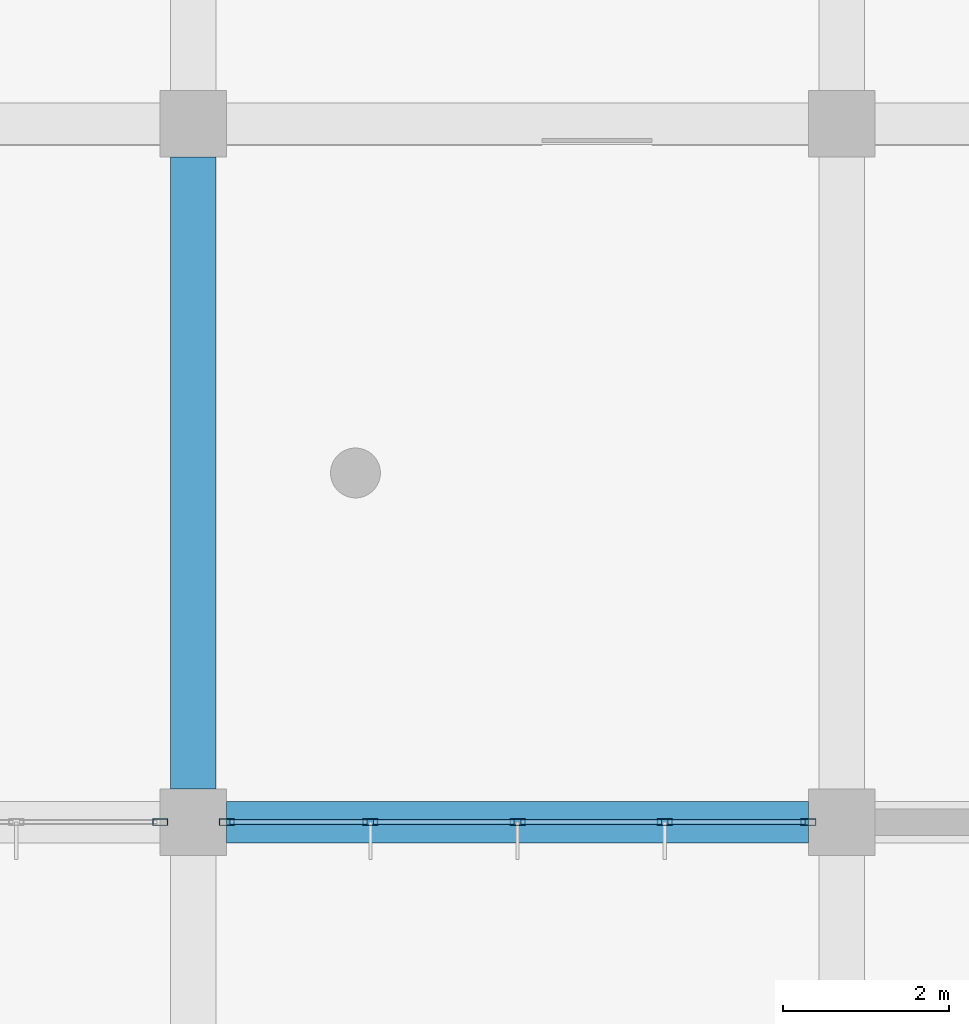
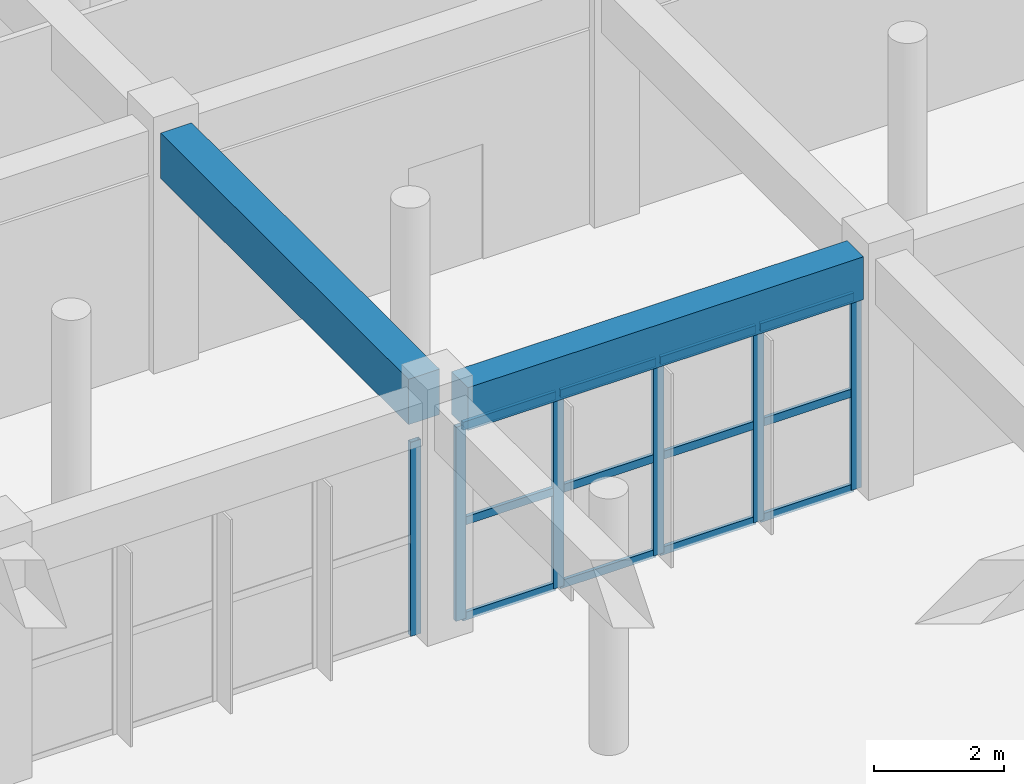
# One storey, part 21 of 139: 18 members, 2 beams, 2 elements without a shape of their own.
"""IFC4 building model written with IfcOpenShell, lengths in metres."""

from ifc_helpers import new_model, si_unit, direction, frame, origin, origin_2d, place, context, subcontext, project, spatial, rectangle, hollow_rectangle, extrude, material, layer, layer_set, material_profile, profile_set, type_object, element, aggregate, save


model = new_model("IFC4")

# Units and contexts
model_context = context("Model", 3, precision=1e-05, world=origin(), true_north=direction((0.0, 1.0)))
body_context = subcontext(model_context, "Body", "Model", "MODEL_VIEW")
ifc_project = project(units=[si_unit("LENGTHUNIT", "METRE"), si_unit("AREAUNIT", "SQUARE_METRE"), si_unit("VOLUMEUNIT", "CUBIC_METRE"), si_unit("PLANEANGLEUNIT", "RADIAN"), si_unit("MASSUNIT", "GRAM", prefix="KILO")], contexts=[model_context])

# Site, building, storey
site_placement = place(None, origin())
site = spatial("IfcSite", under=ifc_project, at=site_placement, CompositionType="ELEMENT")
building_placement = place(site_placement, origin())
building = spatial("IfcBuilding", under=site, at=building_placement, Name="Zizhar Promenade General Hospital", CompositionType="ELEMENT")
storey_placement = place(building_placement, origin())
storey = spatial("IfcBuildingStorey", under=building, at=storey_placement, Name="L00", CompositionType="ELEMENT", Elevation=0.0)

# Beams
ifc_material_1 = material(Name="Concrete C35/45", Category="concrete")
ifc_material_profile_1 = material_profile(ifc_material_1, rectangle(XDim=0.5, YDim=0.800048828125, at=origin_2d()))
ifc_profile_set_1 = profile_set([ifc_material_profile_1], Name="Concrete C35/45")
beam_type_1 = type_object("IfcBeamType", Name="BM-RC-500x800", PredefinedType="BEAM", material=ifc_profile_set_1)
beam_1_placement = place(storey_placement, frame((109.60009765625, 8.39990234375, 4.070068359375), z_axis=(1.0, 0.0, 0.0), x_axis=(0.0, 1.0, 0.0)))
element("IfcBeam", 1, at=beam_1_placement, inside=storey, type_object=beam_type_1, Name="Grid Beam X L00 (14-1)", PredefinedType="BEAM", context=body_context, shape_type="SweptSolid", body=[
    extrude(rectangle(XDim=0.5, YDim=0.800048828125, at=origin_2d()), origin(), (0.0, 0.0, 1.0), 7.0),
])
ifc_material_2 = material(Name="Concrete C35/45", Category="concrete")
ifc_material_profile_2 = material_profile(ifc_material_2, rectangle(XDim=0.550048828125, YDim=0.85009765625, at=origin_2d()))
ifc_profile_set_2 = profile_set([ifc_material_profile_2], Name="Concrete C35/45")
beam_type_2 = type_object("IfcBeamType", Name="BM-RC-550x850", PredefinedType="BEAM", material=ifc_profile_set_2)
beam_2_placement = place(storey_placement, frame((109.199951171875, 8.800048828125, 4.044921875), z_axis=(0.0, 1.0, 0.0), x_axis=(-1.0, 0.0, 0.0)))
element("IfcBeam", 2, at=beam_2_placement, inside=storey, type_object=beam_type_2, Name="Grid Beam Y L00 (14-1)", PredefinedType="BEAM", context=body_context, shape_type="SweptSolid", body=[
    extrude(rectangle(XDim=0.550048828125, YDim=0.85009765625, at=origin_2d()), origin(), (0.0, 0.0, 1.0), 7.599853515625),
])

# Curtain wall, member
ifc_material_3 = material(Name="Anodised aluminium 6063-T6 and low-E glass", Category="aluminium")
ifc_layer = layer(ifc_material_3, 0.159912109375)
ifc_layer_set = layer_set([ifc_layer], Name="Anodised aluminium 6063-T6 and low-E glass")
curtain_wall_type = type_object("IfcCurtainWallType", Name="CW-HALL-S", PredefinedType="NOTDEFINED", material=ifc_layer_set)
curtain_wall_1_placement = place(storey_placement, origin())
curtain_wall_1 = element("IfcCurtainWall", 3, at=curtain_wall_1_placement, inside=storey, type_object=curtain_wall_type, Name="Promenade Colonnade Curtain Wall Bay 12", PredefinedType="NOTDEFINED")
ifc_material_4 = material(Name="Anodised aluminium 6063-T6", Category="aluminium")
ifc_material_profile_3 = material_profile(ifc_material_4, hollow_rectangle(XDim=0.080078125, YDim=0.179931640625, WallThickness=0.0048828125, at=origin_2d()))
ifc_profile_set_3 = profile_set([ifc_material_profile_3], Name="Anodised aluminium 6063-T6")
member_type_1 = type_object("IfcMemberType", Name="CWM-ALU-180x80", PredefinedType="MULLION", material=ifc_profile_set_3)
member_1_placement = place(storey_placement, frame((108.800048828125, 8.39990234375, 0.0), z_axis=(0.0, 0.0, 1.0), x_axis=(0.0, -1.0, 0.0)))
member_1 = element("IfcMember", 4, at=member_1_placement, type_object=member_type_1, Name="CW-01 mullion 1", PredefinedType="MULLION", context=body_context, shape_type="SweptSolid", body=[
    extrude(hollow_rectangle(XDim=0.080078125, YDim=0.179931640625, WallThickness=0.0048828125, at=origin_2d()), origin(), (0.0, 0.0, 1.0), 3.6298828125),
])
aggregate(curtain_wall_1, [member_1])

# Curtain wall, members
curtain_wall_2_placement = place(storey_placement, origin())
curtain_wall_2 = element("IfcCurtainWall", 5, at=curtain_wall_2_placement, inside=storey, type_object=curtain_wall_type, Name="Promenade Colonnade Curtain Wall Bay 13", PredefinedType="NOTDEFINED")
member_2_placement = place(storey_placement, frame((116.60009765625, 8.39990234375, 0.0), z_axis=(0.0, 0.0, 1.0), x_axis=(0.0, -1.0, 0.0)))
member_2 = element("IfcMember", 6, at=member_2_placement, type_object=member_type_1, Name="CW-01 mullion 1", PredefinedType="MULLION", context=body_context, shape_type="SweptSolid", body=[
    extrude(hollow_rectangle(XDim=0.080078125, YDim=0.179931640625, WallThickness=0.0048828125, at=origin_2d()), origin(), (0.0, 0.0, 1.0), 3.6298828125),
])
member_3_placement = place(storey_placement, frame((114.8701171875, 8.39990234375, 0.0), z_axis=(0.0, 0.0, 1.0), x_axis=(0.0, -1.0, 0.0)))
member_3 = element("IfcMember", 7, at=member_3_placement, type_object=member_type_1, Name="CW-01 mullion 2", PredefinedType="MULLION", context=body_context, shape_type="SweptSolid", body=[
    extrude(hollow_rectangle(XDim=0.080078125, YDim=0.179931640625, WallThickness=0.0048828125, at=origin_2d()), origin(), (0.0, 0.0, 1.0), 3.6298828125),
])
member_4_placement = place(storey_placement, frame((113.10009765625, 8.39990234375, 0.0), z_axis=(0.0, 0.0, 1.0), x_axis=(0.0, -1.0, 0.0)))
member_4 = element("IfcMember", 8, at=member_4_placement, type_object=member_type_1, Name="CW-01 mullion 3", PredefinedType="MULLION", context=body_context, shape_type="SweptSolid", body=[
    extrude(hollow_rectangle(XDim=0.080078125, YDim=0.179931640625, WallThickness=0.0048828125, at=origin_2d()), origin(), (0.0, 0.0, 1.0), 3.6298828125),
])
member_5_placement = place(storey_placement, frame((111.330078125, 8.39990234375, 0.0), z_axis=(0.0, 0.0, 1.0), x_axis=(0.0, -1.0, 0.0)))
member_5 = element("IfcMember", 9, at=member_5_placement, type_object=member_type_1, Name="CW-01 mullion 4", PredefinedType="MULLION", context=body_context, shape_type="SweptSolid", body=[
    extrude(hollow_rectangle(XDim=0.080078125, YDim=0.179931640625, WallThickness=0.0048828125, at=origin_2d()), origin(), (0.0, 0.0, 1.0), 3.6298828125),
])
member_6_placement = place(storey_placement, frame((109.60009765625, 8.39990234375, 0.0), z_axis=(0.0, 0.0, 1.0), x_axis=(0.0, -1.0, 0.0)))
member_6 = element("IfcMember", 10, at=member_6_placement, type_object=member_type_1, Name="CW-01 mullion 5", PredefinedType="MULLION", context=body_context, shape_type="SweptSolid", body=[
    extrude(hollow_rectangle(XDim=0.080078125, YDim=0.179931640625, WallThickness=0.0048828125, at=origin_2d()), origin(), (0.0, 0.0, 1.0), 3.6298828125),
])
ifc_material_5 = material(Name="Anodised aluminium 6063-T6", Category="aluminium")
ifc_material_profile_4 = material_profile(ifc_material_5, hollow_rectangle(XDim=0.06005859375, YDim=0.14990234375, WallThickness=0.00390625, at=origin_2d()))
ifc_profile_set_4 = profile_set([ifc_material_profile_4], Name="Anodised aluminium 6063-T6")
member_type_2 = type_object("IfcMemberType", Name="CWT-ALU-150x60", PredefinedType="USERDEFINED", material=ifc_profile_set_4)
member_7_placement = place(storey_placement, frame((116.56005859375, 8.39990234375, 0.030029296875), z_axis=(-1.0, 0.0, 0.0), x_axis=(0.0, -1.0, 0.0)))
member_7 = element("IfcMember", 11, at=member_7_placement, type_object=member_type_2, Name="CW-01 transom 1.1", ObjectType="TRANSOM", PredefinedType="USERDEFINED", context=body_context, shape_type="SweptSolid", body=[
    extrude(hollow_rectangle(XDim=0.06005859375, YDim=0.14990234375, WallThickness=0.00390625, at=origin_2d()), origin(), (0.0, 0.0, 1.0), 1.650146484375),
])
member_8_placement = place(storey_placement, frame((116.56005859375, 8.39990234375, 1.81494140625), z_axis=(-1.0, 0.0, 0.0), x_axis=(0.0, -1.0, 0.0)))
member_8 = element("IfcMember", 12, at=member_8_placement, type_object=member_type_2, Name="CW-01 transom 1.2", ObjectType="TRANSOM", PredefinedType="USERDEFINED", context=body_context, shape_type="SweptSolid", body=[
    extrude(hollow_rectangle(XDim=0.06005859375, YDim=0.14990234375, WallThickness=0.00390625, at=origin_2d()), origin(), (0.0, 0.0, 1.0), 1.650146484375),
])
member_9_placement = place(storey_placement, frame((116.56005859375, 8.39990234375, 3.60009765625), z_axis=(-1.0, 0.0, 0.0), x_axis=(0.0, -1.0, 0.0)))
member_9 = element("IfcMember", 13, at=member_9_placement, type_object=member_type_2, Name="CW-01 transom 1.3", ObjectType="TRANSOM", PredefinedType="USERDEFINED", context=body_context, shape_type="SweptSolid", body=[
    extrude(hollow_rectangle(XDim=0.06005859375, YDim=0.14990234375, WallThickness=0.00390625, at=origin_2d()), origin(), (0.0, 0.0, 1.0), 1.650146484375),
])
member_10_placement = place(storey_placement, frame((114.830078125, 8.39990234375, 0.030029296875), z_axis=(-1.0, 0.0, 0.0), x_axis=(0.0, -1.0, 0.0)))
member_10 = element("IfcMember", 14, at=member_10_placement, type_object=member_type_2, Name="CW-01 transom 2.1", ObjectType="TRANSOM", PredefinedType="USERDEFINED", context=body_context, shape_type="SweptSolid", body=[
    extrude(hollow_rectangle(XDim=0.06005859375, YDim=0.14990234375, WallThickness=0.00390625, at=origin_2d()), origin(), (0.0, 0.0, 1.0), 1.690185546875),
])
member_11_placement = place(storey_placement, frame((114.830078125, 8.39990234375, 1.81494140625), z_axis=(-1.0, 0.0, 0.0), x_axis=(0.0, -1.0, 0.0)))
member_11 = element("IfcMember", 15, at=member_11_placement, type_object=member_type_2, Name="CW-01 transom 2.2", ObjectType="TRANSOM", PredefinedType="USERDEFINED", context=body_context, shape_type="SweptSolid", body=[
    extrude(hollow_rectangle(XDim=0.06005859375, YDim=0.14990234375, WallThickness=0.00390625, at=origin_2d()), origin(), (0.0, 0.0, 1.0), 1.690185546875),
])
member_12_placement = place(storey_placement, frame((114.830078125, 8.39990234375, 3.60009765625), z_axis=(-1.0, 0.0, 0.0), x_axis=(0.0, -1.0, 0.0)))
member_12 = element("IfcMember", 16, at=member_12_placement, type_object=member_type_2, Name="CW-01 transom 2.3", ObjectType="TRANSOM", PredefinedType="USERDEFINED", context=body_context, shape_type="SweptSolid", body=[
    extrude(hollow_rectangle(XDim=0.06005859375, YDim=0.14990234375, WallThickness=0.00390625, at=origin_2d()), origin(), (0.0, 0.0, 1.0), 1.690185546875),
])
member_13_placement = place(storey_placement, frame((113.06005859375, 8.39990234375, 0.030029296875), z_axis=(-1.0, 0.0, 0.0), x_axis=(0.0, -1.0, 0.0)))
member_13 = element("IfcMember", 17, at=member_13_placement, type_object=member_type_2, Name="CW-01 transom 3.1", ObjectType="TRANSOM", PredefinedType="USERDEFINED", context=body_context, shape_type="SweptSolid", body=[
    extrude(hollow_rectangle(XDim=0.06005859375, YDim=0.14990234375, WallThickness=0.00390625, at=origin_2d()), origin(), (0.0, 0.0, 1.0), 1.68994140625),
])
member_14_placement = place(storey_placement, frame((113.06005859375, 8.39990234375, 1.81494140625), z_axis=(-1.0, 0.0, 0.0), x_axis=(0.0, -1.0, 0.0)))
member_14 = element("IfcMember", 18, at=member_14_placement, type_object=member_type_2, Name="CW-01 transom 3.2", ObjectType="TRANSOM", PredefinedType="USERDEFINED", context=body_context, shape_type="SweptSolid", body=[
    extrude(hollow_rectangle(XDim=0.06005859375, YDim=0.14990234375, WallThickness=0.00390625, at=origin_2d()), origin(), (0.0, 0.0, 1.0), 1.68994140625),
])
member_15_placement = place(storey_placement, frame((113.06005859375, 8.39990234375, 3.60009765625), z_axis=(-1.0, 0.0, 0.0), x_axis=(0.0, -1.0, 0.0)))
member_15 = element("IfcMember", 19, at=member_15_placement, type_object=member_type_2, Name="CW-01 transom 3.3", ObjectType="TRANSOM", PredefinedType="USERDEFINED", context=body_context, shape_type="SweptSolid", body=[
    extrude(hollow_rectangle(XDim=0.06005859375, YDim=0.14990234375, WallThickness=0.00390625, at=origin_2d()), origin(), (0.0, 0.0, 1.0), 1.68994140625),
])
member_16_placement = place(storey_placement, frame((111.2900390625, 8.39990234375, 0.030029296875), z_axis=(-1.0, 0.0, 0.0), x_axis=(0.0, -1.0, 0.0)))
member_16 = element("IfcMember", 20, at=member_16_placement, type_object=member_type_2, Name="CW-01 transom 4.1", ObjectType="TRANSOM", PredefinedType="USERDEFINED", context=body_context, shape_type="SweptSolid", body=[
    extrude(hollow_rectangle(XDim=0.06005859375, YDim=0.14990234375, WallThickness=0.00390625, at=origin_2d()), origin(), (0.0, 0.0, 1.0), 1.650146484375),
])
member_17_placement = place(storey_placement, frame((111.2900390625, 8.39990234375, 1.81494140625), z_axis=(-1.0, 0.0, 0.0), x_axis=(0.0, -1.0, 0.0)))
member_17 = element("IfcMember", 21, at=member_17_placement, type_object=member_type_2, Name="CW-01 transom 4.2", ObjectType="TRANSOM", PredefinedType="USERDEFINED", context=body_context, shape_type="SweptSolid", body=[
    extrude(hollow_rectangle(XDim=0.06005859375, YDim=0.14990234375, WallThickness=0.00390625, at=origin_2d()), origin(), (0.0, 0.0, 1.0), 1.650146484375),
])
member_18_placement = place(storey_placement, frame((111.2900390625, 8.39990234375, 3.60009765625), z_axis=(-1.0, 0.0, 0.0), x_axis=(0.0, -1.0, 0.0)))
member_18 = element("IfcMember", 22, at=member_18_placement, type_object=member_type_2, Name="CW-01 transom 4.3", ObjectType="TRANSOM", PredefinedType="USERDEFINED", context=body_context, shape_type="SweptSolid", body=[
    extrude(hollow_rectangle(XDim=0.06005859375, YDim=0.14990234375, WallThickness=0.00390625, at=origin_2d()), origin(), (0.0, 0.0, 1.0), 1.650146484375),
])
aggregate(curtain_wall_2, [member_2, member_3, member_4, member_5, member_6, member_7, member_8, member_9, member_10, member_11, member_12, member_13, member_14, member_15, member_16, member_17, member_18])

save(model, "model.ifc")
